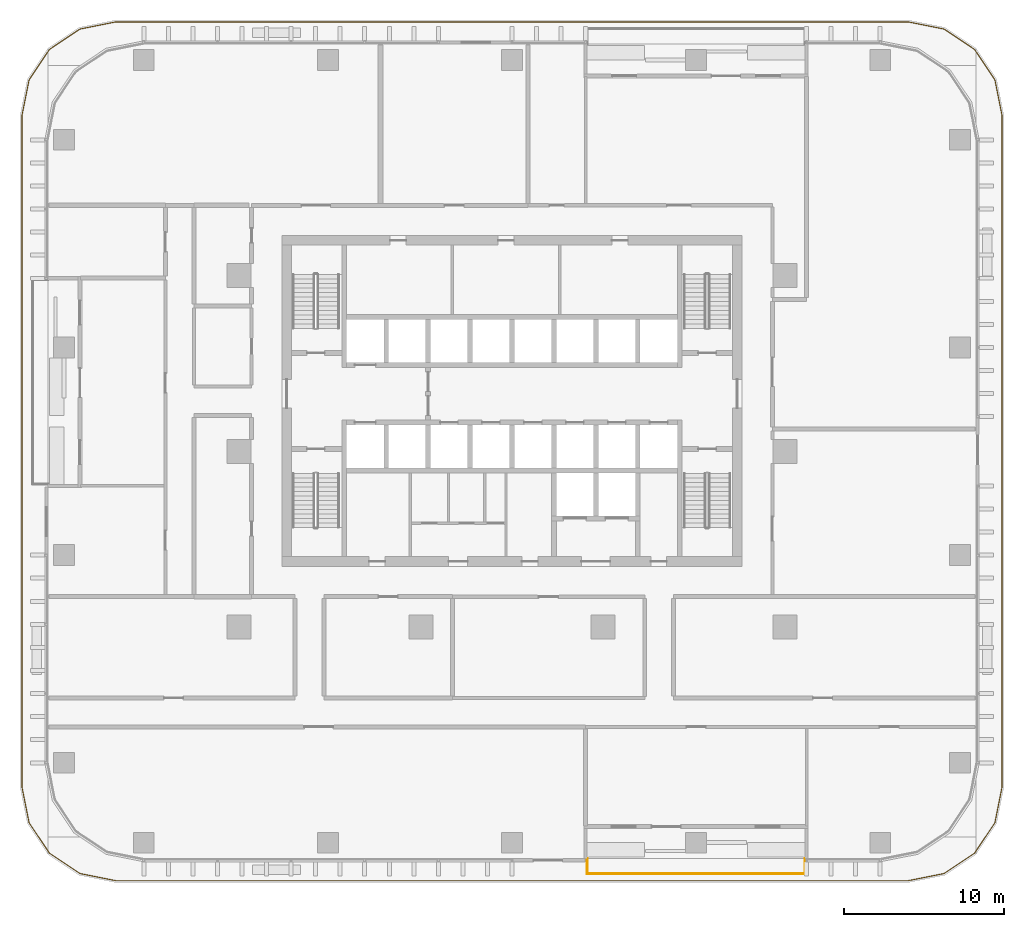
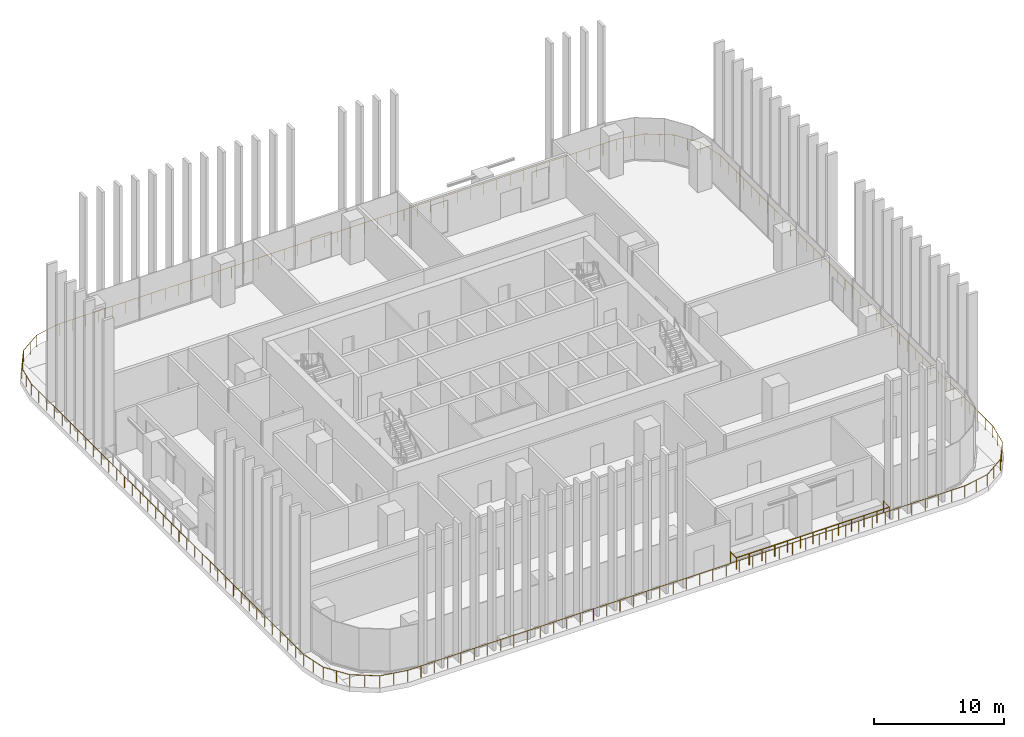
# One storey, part 14 of 18: 2 railings.
"""IFC4 building model written with IfcOpenShell, lengths in metres."""

from ifc_helpers import new_model, si_unit, direction, frame, origin, origin_2d, place, context, subcontext, project, spatial, circle, extrude, material, type_object, element, save


model = new_model("IFC4")

# Units and contexts
model_context = context("Model", 3, precision=1e-05, world=origin(), true_north=direction((0.0, 1.0)))
body_context = subcontext(model_context, "Body", "Model", "MODEL_VIEW")
ifc_project = project(units=[si_unit("LENGTHUNIT", "METRE"), si_unit("AREAUNIT", "SQUARE_METRE"), si_unit("VOLUMEUNIT", "CUBIC_METRE"), si_unit("PLANEANGLEUNIT", "RADIAN"), si_unit("MASSUNIT", "GRAM", prefix="KILO")], contexts=[model_context])

# Site, building, storey
site_placement = place(None, origin())
site = spatial("IfcSite", under=ifc_project, at=site_placement, CompositionType="ELEMENT")
building_placement = place(site_placement, origin())
building = spatial("IfcBuilding", under=site, at=building_placement, Name="Mopane Tessera Tower", CompositionType="ELEMENT")
storey_placement = place(building_placement, frame((0.0, 0.0, 94.60009765625)))
storey = spatial("IfcBuildingStorey", under=building, at=storey_placement, Name="L18", CompositionType="ELEMENT", Elevation=94.60009765625)

# Railings
ifc_material = material(Name="Stainless steel S316", Category="steel")
railing_type = type_object("IfcRailingType", Name="Terrace guard 1100", PredefinedType="GUARDRAIL", material=ifc_material)
railing_1_placement = place(storey_placement, frame((4.7099609375, -25.5, 0.0)))
element("IfcRailing", 1, at=railing_1_placement, inside=storey, type_object=railing_type, Name="e:nw:L18:N3:guard", PredefinedType="GUARDRAIL", context=body_context, shape_type="SweptSolid", body=[
    extrude(circle(Radius=0.02392578125, at=origin_2d()), frame((0.0, 0.0, 1.076171875), z_axis=(0.0, -1.0, 0.0), x_axis=(1.0, 0.0, 0.0)), (0.0, 0.0, 1.0), 0.949951171875),
    extrude(circle(Radius=0.02392578125, at=origin_2d()), frame((0.0, -0.949951171875, 1.076171875), z_axis=(1.0, 0.0, 0.0), x_axis=(0.0, 1.0, 0.0)), (0.0, 0.0, 1.0), 13.630126953125),
    extrude(circle(Radius=0.02392578125, at=origin_2d()), frame((13.630126953125, -0.949951171875, 1.076171875), z_axis=(0.0, 1.0, 0.0), x_axis=(-1.0, 0.0, 0.0)), (0.0, 0.0, 1.0), 0.949951171875),
    extrude(circle(Radius=0.02099609375, at=origin_2d()), origin(), (0.0, 0.0, 1.0), 1.052001953125),
    extrude(circle(Radius=0.02099609375, at=origin_2d()), frame((0.0, -0.949951171875, 0.0)), (0.0, 0.0, 1.0), 1.052001953125),
    extrude(circle(Radius=0.02099609375, at=origin_2d()), frame((1.1357421875, -0.949951171875, 0.0)), (0.0, 0.0, 1.0), 1.052001953125),
    extrude(circle(Radius=0.02099609375, at=origin_2d()), frame((2.271728515625, -0.949951171875, 0.0)), (0.0, 0.0, 1.0), 1.052001953125),
    extrude(circle(Radius=0.02099609375, at=origin_2d()), frame((3.407470703125, -0.949951171875, 0.0)), (0.0, 0.0, 1.0), 1.052001953125),
    extrude(circle(Radius=0.02099609375, at=origin_2d()), frame((4.54345703125, -0.949951171875, 0.0)), (0.0, 0.0, 1.0), 1.052001953125),
    extrude(circle(Radius=0.02099609375, at=origin_2d()), frame((5.67919921875, -0.949951171875, 0.0)), (0.0, 0.0, 1.0), 1.052001953125),
    extrude(circle(Radius=0.02099609375, at=origin_2d()), frame((6.81494140625, -0.949951171875, 0.0)), (0.0, 0.0, 1.0), 1.052001953125),
    extrude(circle(Radius=0.02099609375, at=origin_2d()), frame((7.950927734375, -0.949951171875, 0.0)), (0.0, 0.0, 1.0), 1.052001953125),
    extrude(circle(Radius=0.02099609375, at=origin_2d()), frame((9.086669921875, -0.949951171875, 0.0)), (0.0, 0.0, 1.0), 1.052001953125),
    extrude(circle(Radius=0.02099609375, at=origin_2d()), frame((10.22265625, -0.949951171875, 0.0)), (0.0, 0.0, 1.0), 1.052001953125),
    extrude(circle(Radius=0.02099609375, at=origin_2d()), frame((11.3583984375, -0.949951171875, 0.0)), (0.0, 0.0, 1.0), 1.052001953125),
    extrude(circle(Radius=0.02099609375, at=origin_2d()), frame((12.494384765625, -0.949951171875, 0.0)), (0.0, 0.0, 1.0), 1.052001953125),
    extrude(circle(Radius=0.02099609375, at=origin_2d()), frame((13.630126953125, -0.949951171875, 0.0)), (0.0, 0.0, 1.0), 1.052001953125),
    extrude(circle(Radius=0.02099609375, at=origin_2d()), frame((13.630126953125, 0.0, 0.0)), (0.0, 0.0, 1.0), 1.052001953125),
])
railing_2_placement = place(storey_placement, frame((-24.800048828125, -26.8798828125, 0.0)))
element("IfcRailing", 2, at=railing_2_placement, inside=storey, type_object=railing_type, Name="e:sg:L18", PredefinedType="GUARDRAIL", context=body_context, shape_type="SweptSolid", body=[
    extrude(circle(Radius=0.02392578125, at=origin_2d()), frame((0.0, 0.0, 1.076171875), z_axis=(1.0, 0.0, 0.0), x_axis=(0.0, 1.0, 0.0)), (0.0, 0.0, 1.0), 49.60009765625),
    extrude(circle(Radius=0.02392578125, at=origin_2d()), frame((49.60009765625, 0.0, 1.076171875), z_axis=(0.980792920903, 0.195051906696, 0.0), x_axis=(-0.195051906696, 0.980792920903, 0.0)), (0.0, 0.0, 1.0), 2.294189453125),
    extrude(circle(Radius=0.02392578125, at=origin_2d()), frame((51.850341796875, 0.447509765625, 1.076171875), z_axis=(0.831444034045, 0.555608511679, 0.0), x_axis=(-0.555608511679, 0.831444034045, 0.0)), (0.0, 0.0, 1.0), 2.294189453125),
    extrude(circle(Radius=0.02392578125, at=origin_2d()), frame((53.7578125, 1.72216796875, 1.076171875), z_axis=(0.555608511679, 0.831444034045, 0.0), x_axis=(-0.831444034045, 0.555608511679, 0.0)), (0.0, 0.0, 1.0), 2.294189453125),
    extrude(circle(Radius=0.02392578125, at=origin_2d()), frame((55.032470703125, 3.629638671875, 1.076171875), z_axis=(0.195051906696, 0.980792920903, 0.0), x_axis=(-0.980792920903, 0.195051906696, 0.0)), (0.0, 0.0, 1.0), 2.294189453125),
    extrude(circle(Radius=0.02392578125, at=origin_2d()), frame((55.47998046875, 5.8798828125, 1.076171875), z_axis=(0.0, 1.0, 0.0), x_axis=(-1.0, 0.0, 0.0)), (0.0, 0.0, 1.0), 42.0),
    extrude(circle(Radius=0.02392578125, at=origin_2d()), frame((55.47998046875, 47.8798828125, 1.076171875), z_axis=(-0.195051906696, 0.980792920903, 0.0), x_axis=(-0.980792920903, -0.195051906696, 0.0)), (0.0, 0.0, 1.0), 2.294189453125),
    extrude(circle(Radius=0.02392578125, at=origin_2d()), frame((55.032470703125, 50.130126953125, 1.076171875), z_axis=(-0.555608511679, 0.831444034045, 0.0), x_axis=(-0.831444034045, -0.555608511679, 0.0)), (0.0, 0.0, 1.0), 2.294189453125),
    extrude(circle(Radius=0.02392578125, at=origin_2d()), frame((53.7578125, 52.03759765625, 1.076171875), z_axis=(-0.831444034045, 0.555608511679, 0.0), x_axis=(-0.555608511679, -0.831444034045, 0.0)), (0.0, 0.0, 1.0), 2.294189453125),
    extrude(circle(Radius=0.02392578125, at=origin_2d()), frame((51.850341796875, 53.312255859375, 1.076171875), z_axis=(-0.980792920903, 0.195051906696, 0.0), x_axis=(-0.195051906696, -0.980792920903, 0.0)), (0.0, 0.0, 1.0), 2.294189453125),
    extrude(circle(Radius=0.02392578125, at=origin_2d()), frame((49.60009765625, 53.759765625, 1.076171875), z_axis=(-1.0, 0.0, 0.0), x_axis=(0.0, -1.0, 0.0)), (0.0, 0.0, 1.0), 49.60009765625),
    extrude(circle(Radius=0.02392578125, at=origin_2d()), frame((0.0, 53.759765625, 1.076171875), z_axis=(-0.980792920903, -0.195051906696, 0.0), x_axis=(0.195051906696, -0.980792920903, 0.0)), (0.0, 0.0, 1.0), 2.294189453125),
    extrude(circle(Radius=0.02392578125, at=origin_2d()), frame((-2.250244140625, 53.312255859375, 1.076171875), z_axis=(-0.831444034045, -0.555608511679, 0.0), x_axis=(0.555608511679, -0.831444034045, 0.0)), (0.0, 0.0, 1.0), 2.294189453125),
    extrude(circle(Radius=0.02392578125, at=origin_2d()), frame((-4.15771484375, 52.03759765625, 1.076171875), z_axis=(-0.555608511679, -0.831444034045, 0.0), x_axis=(0.831444034045, -0.555608511679, 0.0)), (0.0, 0.0, 1.0), 2.294189453125),
    extrude(circle(Radius=0.02392578125, at=origin_2d()), frame((-5.432373046875, 50.130126953125, 1.076171875), z_axis=(-0.195051906696, -0.980792920903, 0.0), x_axis=(0.980792920903, -0.195051906696, 0.0)), (0.0, 0.0, 1.0), 2.294189453125),
    extrude(circle(Radius=0.02392578125, at=origin_2d()), frame((-5.8798828125, 47.8798828125, 1.076171875), z_axis=(0.0, -1.0, 0.0), x_axis=(1.0, 0.0, 0.0)), (0.0, 0.0, 1.0), 42.0),
    extrude(circle(Radius=0.02392578125, at=origin_2d()), frame((-5.8798828125, 5.8798828125, 1.076171875), z_axis=(0.195051906696, -0.980792920903, 0.0), x_axis=(0.980792920903, 0.195051906696, 0.0)), (0.0, 0.0, 1.0), 2.294189453125),
    extrude(circle(Radius=0.02392578125, at=origin_2d()), frame((-5.432373046875, 3.629638671875, 1.076171875), z_axis=(0.555608511679, -0.831444034045, 0.0), x_axis=(0.831444034045, 0.555608511679, 0.0)), (0.0, 0.0, 1.0), 2.294189453125),
    extrude(circle(Radius=0.02392578125, at=origin_2d()), frame((-4.15771484375, 1.72216796875, 1.076171875), z_axis=(0.831444034045, -0.555608511679, 0.0), x_axis=(0.555608511679, 0.831444034045, 0.0)), (0.0, 0.0, 1.0), 2.294189453125),
    extrude(circle(Radius=0.02392578125, at=origin_2d()), frame((-2.250244140625, 0.447509765625, 1.076171875), z_axis=(0.980792920903, -0.195051906696, 0.0), x_axis=(0.195051906696, 0.980792920903, 0.0)), (0.0, 0.0, 1.0), 2.294189453125),
    extrude(circle(Radius=0.02099609375, at=origin_2d()), origin(), (0.0, 0.0, 1.0), 1.052001953125),
    extrude(circle(Radius=0.02099609375, at=origin_2d()), frame((1.180908203125, 0.0, 0.0)), (0.0, 0.0, 1.0), 1.052001953125),
    extrude(circle(Radius=0.02099609375, at=origin_2d()), frame((2.36181640625, 0.0, 0.0)), (0.0, 0.0, 1.0), 1.052001953125),
    extrude(circle(Radius=0.02099609375, at=origin_2d()), frame((3.54296875, 0.0, 0.0)), (0.0, 0.0, 1.0), 1.052001953125),
    extrude(circle(Radius=0.02099609375, at=origin_2d()), frame((4.723876953125, 0.0, 0.0)), (0.0, 0.0, 1.0), 1.052001953125),
    extrude(circle(Radius=0.02099609375, at=origin_2d()), frame((5.90478515625, 0.0, 0.0)), (0.0, 0.0, 1.0), 1.052001953125),
    extrude(circle(Radius=0.02099609375, at=origin_2d()), frame((7.085693359375, 0.0, 0.0)), (0.0, 0.0, 1.0), 1.052001953125),
    extrude(circle(Radius=0.02099609375, at=origin_2d()), frame((8.2666015625, 0.0, 0.0)), (0.0, 0.0, 1.0), 1.052001953125),
    extrude(circle(Radius=0.02099609375, at=origin_2d()), frame((9.44775390625, 0.0, 0.0)), (0.0, 0.0, 1.0), 1.052001953125),
    extrude(circle(Radius=0.02099609375, at=origin_2d()), frame((10.628662109375, 0.0, 0.0)), (0.0, 0.0, 1.0), 1.052001953125),
    extrude(circle(Radius=0.02099609375, at=origin_2d()), frame((11.8095703125, 0.0, 0.0)), (0.0, 0.0, 1.0), 1.052001953125),
    extrude(circle(Radius=0.02099609375, at=origin_2d()), frame((12.990478515625, 0.0, 0.0)), (0.0, 0.0, 1.0), 1.052001953125),
    extrude(circle(Radius=0.02099609375, at=origin_2d()), frame((14.17138671875, 0.0, 0.0)), (0.0, 0.0, 1.0), 1.052001953125),
    extrude(circle(Radius=0.02099609375, at=origin_2d()), frame((15.352294921875, 0.0, 0.0)), (0.0, 0.0, 1.0), 1.052001953125),
    extrude(circle(Radius=0.02099609375, at=origin_2d()), frame((16.533447265625, 0.0, 0.0)), (0.0, 0.0, 1.0), 1.052001953125),
    extrude(circle(Radius=0.02099609375, at=origin_2d()), frame((17.71435546875, 0.0, 0.0)), (0.0, 0.0, 1.0), 1.052001953125),
    extrude(circle(Radius=0.02099609375, at=origin_2d()), frame((18.895263671875, 0.0, 0.0)), (0.0, 0.0, 1.0), 1.052001953125),
    extrude(circle(Radius=0.02099609375, at=origin_2d()), frame((20.076171875, 0.0, 0.0)), (0.0, 0.0, 1.0), 1.052001953125),
    extrude(circle(Radius=0.02099609375, at=origin_2d()), frame((21.257080078125, 0.0, 0.0)), (0.0, 0.0, 1.0), 1.052001953125),
    extrude(circle(Radius=0.02099609375, at=origin_2d()), frame((22.438232421875, 0.0, 0.0)), (0.0, 0.0, 1.0), 1.052001953125),
    extrude(circle(Radius=0.02099609375, at=origin_2d()), frame((23.619140625, 0.0, 0.0)), (0.0, 0.0, 1.0), 1.052001953125),
    extrude(circle(Radius=0.02099609375, at=origin_2d()), frame((24.800048828125, 0.0, 0.0)), (0.0, 0.0, 1.0), 1.052001953125),
    extrude(circle(Radius=0.02099609375, at=origin_2d()), frame((25.98095703125, 0.0, 0.0)), (0.0, 0.0, 1.0), 1.052001953125),
    extrude(circle(Radius=0.02099609375, at=origin_2d()), frame((27.161865234375, 0.0, 0.0)), (0.0, 0.0, 1.0), 1.052001953125),
    extrude(circle(Radius=0.02099609375, at=origin_2d()), frame((28.343017578125, 0.0, 0.0)), (0.0, 0.0, 1.0), 1.052001953125),
    extrude(circle(Radius=0.02099609375, at=origin_2d()), frame((29.52392578125, 0.0, 0.0)), (0.0, 0.0, 1.0), 1.052001953125),
    extrude(circle(Radius=0.02099609375, at=origin_2d()), frame((30.704833984375, 0.0, 0.0)), (0.0, 0.0, 1.0), 1.052001953125),
    extrude(circle(Radius=0.02099609375, at=origin_2d()), frame((31.8857421875, 0.0, 0.0)), (0.0, 0.0, 1.0), 1.052001953125),
    extrude(circle(Radius=0.02099609375, at=origin_2d()), frame((33.066650390625, 0.0, 0.0)), (0.0, 0.0, 1.0), 1.052001953125),
    extrude(circle(Radius=0.02099609375, at=origin_2d()), frame((34.247802734375, 0.0, 0.0)), (0.0, 0.0, 1.0), 1.052001953125),
    extrude(circle(Radius=0.02099609375, at=origin_2d()), frame((35.4287109375, 0.0, 0.0)), (0.0, 0.0, 1.0), 1.052001953125),
    extrude(circle(Radius=0.02099609375, at=origin_2d()), frame((36.609619140625, 0.0, 0.0)), (0.0, 0.0, 1.0), 1.052001953125),
    extrude(circle(Radius=0.02099609375, at=origin_2d()), frame((37.79052734375, 0.0, 0.0)), (0.0, 0.0, 1.0), 1.052001953125),
    extrude(circle(Radius=0.02099609375, at=origin_2d()), frame((38.971435546875, 0.0, 0.0)), (0.0, 0.0, 1.0), 1.052001953125),
    extrude(circle(Radius=0.02099609375, at=origin_2d()), frame((40.15234375, 0.0, 0.0)), (0.0, 0.0, 1.0), 1.052001953125),
    extrude(circle(Radius=0.02099609375, at=origin_2d()), frame((41.33349609375, 0.0, 0.0)), (0.0, 0.0, 1.0), 1.052001953125),
    extrude(circle(Radius=0.02099609375, at=origin_2d()), frame((42.514404296875, 0.0, 0.0)), (0.0, 0.0, 1.0), 1.052001953125),
    extrude(circle(Radius=0.02099609375, at=origin_2d()), frame((43.6953125, 0.0, 0.0)), (0.0, 0.0, 1.0), 1.052001953125),
    extrude(circle(Radius=0.02099609375, at=origin_2d()), frame((44.876220703125, 0.0, 0.0)), (0.0, 0.0, 1.0), 1.052001953125),
    extrude(circle(Radius=0.02099609375, at=origin_2d()), frame((46.05712890625, 0.0, 0.0)), (0.0, 0.0, 1.0), 1.052001953125),
    extrude(circle(Radius=0.02099609375, at=origin_2d()), frame((47.23828125, 0.0, 0.0)), (0.0, 0.0, 1.0), 1.052001953125),
    extrude(circle(Radius=0.02099609375, at=origin_2d()), frame((48.419189453125, 0.0, 0.0)), (0.0, 0.0, 1.0), 1.052001953125),
    extrude(circle(Radius=0.02099609375, at=origin_2d()), frame((49.60009765625, 0.0, 0.0)), (0.0, 0.0, 1.0), 1.052001953125),
    extrude(circle(Radius=0.02099609375, at=origin_2d()), frame((50.72509765625, 0.2236328125, 0.0)), (0.0, 0.0, 1.0), 1.052001953125),
    extrude(circle(Radius=0.02099609375, at=origin_2d()), frame((51.850341796875, 0.447509765625, 0.0)), (0.0, 0.0, 1.0), 1.052001953125),
    extrude(circle(Radius=0.02099609375, at=origin_2d()), frame((52.80419921875, 1.0849609375, 0.0)), (0.0, 0.0, 1.0), 1.052001953125),
    extrude(circle(Radius=0.02099609375, at=origin_2d()), frame((53.7578125, 1.72216796875, 0.0)), (0.0, 0.0, 1.0), 1.052001953125),
    extrude(circle(Radius=0.02099609375, at=origin_2d()), frame((54.39501953125, 2.67578125, 0.0)), (0.0, 0.0, 1.0), 1.052001953125),
    extrude(circle(Radius=0.02099609375, at=origin_2d()), frame((55.032470703125, 3.629638671875, 0.0)), (0.0, 0.0, 1.0), 1.052001953125),
    extrude(circle(Radius=0.02099609375, at=origin_2d()), frame((55.25634765625, 4.7548828125, 0.0)), (0.0, 0.0, 1.0), 1.052001953125),
    extrude(circle(Radius=0.02099609375, at=origin_2d()), frame((55.47998046875, 5.8798828125, 0.0)), (0.0, 0.0, 1.0), 1.052001953125),
    extrude(circle(Radius=0.02099609375, at=origin_2d()), frame((55.47998046875, 7.079833984375, 0.0)), (0.0, 0.0, 1.0), 1.052001953125),
    extrude(circle(Radius=0.02099609375, at=origin_2d()), frame((55.47998046875, 8.27978515625, 0.0)), (0.0, 0.0, 1.0), 1.052001953125),
    extrude(circle(Radius=0.02099609375, at=origin_2d()), frame((55.47998046875, 9.47998046875, 0.0)), (0.0, 0.0, 1.0), 1.052001953125),
    extrude(circle(Radius=0.02099609375, at=origin_2d()), frame((55.47998046875, 10.679931640625, 0.0)), (0.0, 0.0, 1.0), 1.052001953125),
    extrude(circle(Radius=0.02099609375, at=origin_2d()), frame((55.47998046875, 11.8798828125, 0.0)), (0.0, 0.0, 1.0), 1.052001953125),
    extrude(circle(Radius=0.02099609375, at=origin_2d()), frame((55.47998046875, 13.079833984375, 0.0)), (0.0, 0.0, 1.0), 1.052001953125),
    extrude(circle(Radius=0.02099609375, at=origin_2d()), frame((55.47998046875, 14.27978515625, 0.0)), (0.0, 0.0, 1.0), 1.052001953125),
    extrude(circle(Radius=0.02099609375, at=origin_2d()), frame((55.47998046875, 15.47998046875, 0.0)), (0.0, 0.0, 1.0), 1.052001953125),
    extrude(circle(Radius=0.02099609375, at=origin_2d()), frame((55.47998046875, 16.679931640625, 0.0)), (0.0, 0.0, 1.0), 1.052001953125),
    extrude(circle(Radius=0.02099609375, at=origin_2d()), frame((55.47998046875, 17.8798828125, 0.0)), (0.0, 0.0, 1.0), 1.052001953125),
    extrude(circle(Radius=0.02099609375, at=origin_2d()), frame((55.47998046875, 19.079833984375, 0.0)), (0.0, 0.0, 1.0), 1.052001953125),
    extrude(circle(Radius=0.02099609375, at=origin_2d()), frame((55.47998046875, 20.27978515625, 0.0)), (0.0, 0.0, 1.0), 1.052001953125),
    extrude(circle(Radius=0.02099609375, at=origin_2d()), frame((55.47998046875, 21.47998046875, 0.0)), (0.0, 0.0, 1.0), 1.052001953125),
    extrude(circle(Radius=0.02099609375, at=origin_2d()), frame((55.47998046875, 22.679931640625, 0.0)), (0.0, 0.0, 1.0), 1.052001953125),
    extrude(circle(Radius=0.02099609375, at=origin_2d()), frame((55.47998046875, 23.8798828125, 0.0)), (0.0, 0.0, 1.0), 1.052001953125),
    extrude(circle(Radius=0.02099609375, at=origin_2d()), frame((55.47998046875, 25.079833984375, 0.0)), (0.0, 0.0, 1.0), 1.052001953125),
    extrude(circle(Radius=0.02099609375, at=origin_2d()), frame((55.47998046875, 26.27978515625, 0.0)), (0.0, 0.0, 1.0), 1.052001953125),
    extrude(circle(Radius=0.02099609375, at=origin_2d()), frame((55.47998046875, 27.47998046875, 0.0)), (0.0, 0.0, 1.0), 1.052001953125),
    extrude(circle(Radius=0.02099609375, at=origin_2d()), frame((55.47998046875, 28.679931640625, 0.0)), (0.0, 0.0, 1.0), 1.052001953125),
    extrude(circle(Radius=0.02099609375, at=origin_2d()), frame((55.47998046875, 29.8798828125, 0.0)), (0.0, 0.0, 1.0), 1.052001953125),
    extrude(circle(Radius=0.02099609375, at=origin_2d()), frame((55.47998046875, 31.079833984375, 0.0)), (0.0, 0.0, 1.0), 1.052001953125),
    extrude(circle(Radius=0.02099609375, at=origin_2d()), frame((55.47998046875, 32.27978515625, 0.0)), (0.0, 0.0, 1.0), 1.052001953125),
    extrude(circle(Radius=0.02099609375, at=origin_2d()), frame((55.47998046875, 33.47998046875, 0.0)), (0.0, 0.0, 1.0), 1.052001953125),
    extrude(circle(Radius=0.02099609375, at=origin_2d()), frame((55.47998046875, 34.679931640625, 0.0)), (0.0, 0.0, 1.0), 1.052001953125),
    extrude(circle(Radius=0.02099609375, at=origin_2d()), frame((55.47998046875, 35.8798828125, 0.0)), (0.0, 0.0, 1.0), 1.052001953125),
    extrude(circle(Radius=0.02099609375, at=origin_2d()), frame((55.47998046875, 37.079833984375, 0.0)), (0.0, 0.0, 1.0), 1.052001953125),
    extrude(circle(Radius=0.02099609375, at=origin_2d()), frame((55.47998046875, 38.27978515625, 0.0)), (0.0, 0.0, 1.0), 1.052001953125),
    extrude(circle(Radius=0.02099609375, at=origin_2d()), frame((55.47998046875, 39.47998046875, 0.0)), (0.0, 0.0, 1.0), 1.052001953125),
    extrude(circle(Radius=0.02099609375, at=origin_2d()), frame((55.47998046875, 40.679931640625, 0.0)), (0.0, 0.0, 1.0), 1.052001953125),
    extrude(circle(Radius=0.02099609375, at=origin_2d()), frame((55.47998046875, 41.8798828125, 0.0)), (0.0, 0.0, 1.0), 1.052001953125),
    extrude(circle(Radius=0.02099609375, at=origin_2d()), frame((55.47998046875, 43.079833984375, 0.0)), (0.0, 0.0, 1.0), 1.052001953125),
    extrude(circle(Radius=0.02099609375, at=origin_2d()), frame((55.47998046875, 44.27978515625, 0.0)), (0.0, 0.0, 1.0), 1.052001953125),
    extrude(circle(Radius=0.02099609375, at=origin_2d()), frame((55.47998046875, 45.47998046875, 0.0)), (0.0, 0.0, 1.0), 1.052001953125),
    extrude(circle(Radius=0.02099609375, at=origin_2d()), frame((55.47998046875, 46.679931640625, 0.0)), (0.0, 0.0, 1.0), 1.052001953125),
    extrude(circle(Radius=0.02099609375, at=origin_2d()), frame((55.47998046875, 47.8798828125, 0.0)), (0.0, 0.0, 1.0), 1.052001953125),
    extrude(circle(Radius=0.02099609375, at=origin_2d()), frame((55.25634765625, 49.0048828125, 0.0)), (0.0, 0.0, 1.0), 1.052001953125),
    extrude(circle(Radius=0.02099609375, at=origin_2d()), frame((55.032470703125, 50.130126953125, 0.0)), (0.0, 0.0, 1.0), 1.052001953125),
    extrude(circle(Radius=0.02099609375, at=origin_2d()), frame((54.39501953125, 51.083984375, 0.0)), (0.0, 0.0, 1.0), 1.052001953125),
    extrude(circle(Radius=0.02099609375, at=origin_2d()), frame((53.7578125, 52.03759765625, 0.0)), (0.0, 0.0, 1.0), 1.052001953125),
    extrude(circle(Radius=0.02099609375, at=origin_2d()), frame((52.80419921875, 52.6748046875, 0.0)), (0.0, 0.0, 1.0), 1.052001953125),
    extrude(circle(Radius=0.02099609375, at=origin_2d()), frame((51.850341796875, 53.312255859375, 0.0)), (0.0, 0.0, 1.0), 1.052001953125),
    extrude(circle(Radius=0.02099609375, at=origin_2d()), frame((50.72509765625, 53.5361328125, 0.0)), (0.0, 0.0, 1.0), 1.052001953125),
    extrude(circle(Radius=0.02099609375, at=origin_2d()), frame((49.60009765625, 53.759765625, 0.0)), (0.0, 0.0, 1.0), 1.052001953125),
    extrude(circle(Radius=0.02099609375, at=origin_2d()), frame((48.419189453125, 53.759765625, 0.0)), (0.0, 0.0, 1.0), 1.052001953125),
    extrude(circle(Radius=0.02099609375, at=origin_2d()), frame((47.23828125, 53.759765625, 0.0)), (0.0, 0.0, 1.0), 1.052001953125),
    extrude(circle(Radius=0.02099609375, at=origin_2d()), frame((46.05712890625, 53.759765625, 0.0)), (0.0, 0.0, 1.0), 1.052001953125),
    extrude(circle(Radius=0.02099609375, at=origin_2d()), frame((44.876220703125, 53.759765625, 0.0)), (0.0, 0.0, 1.0), 1.052001953125),
    extrude(circle(Radius=0.02099609375, at=origin_2d()), frame((43.6953125, 53.759765625, 0.0)), (0.0, 0.0, 1.0), 1.052001953125),
    extrude(circle(Radius=0.02099609375, at=origin_2d()), frame((42.514404296875, 53.759765625, 0.0)), (0.0, 0.0, 1.0), 1.052001953125),
    extrude(circle(Radius=0.02099609375, at=origin_2d()), frame((41.33349609375, 53.759765625, 0.0)), (0.0, 0.0, 1.0), 1.052001953125),
    extrude(circle(Radius=0.02099609375, at=origin_2d()), frame((40.15234375, 53.759765625, 0.0)), (0.0, 0.0, 1.0), 1.052001953125),
    extrude(circle(Radius=0.02099609375, at=origin_2d()), frame((38.971435546875, 53.759765625, 0.0)), (0.0, 0.0, 1.0), 1.052001953125),
    extrude(circle(Radius=0.02099609375, at=origin_2d()), frame((37.79052734375, 53.759765625, 0.0)), (0.0, 0.0, 1.0), 1.052001953125),
    extrude(circle(Radius=0.02099609375, at=origin_2d()), frame((36.609619140625, 53.759765625, 0.0)), (0.0, 0.0, 1.0), 1.052001953125),
    extrude(circle(Radius=0.02099609375, at=origin_2d()), frame((35.4287109375, 53.759765625, 0.0)), (0.0, 0.0, 1.0), 1.052001953125),
    extrude(circle(Radius=0.02099609375, at=origin_2d()), frame((34.247802734375, 53.759765625, 0.0)), (0.0, 0.0, 1.0), 1.052001953125),
    extrude(circle(Radius=0.02099609375, at=origin_2d()), frame((33.066650390625, 53.759765625, 0.0)), (0.0, 0.0, 1.0), 1.052001953125),
    extrude(circle(Radius=0.02099609375, at=origin_2d()), frame((31.8857421875, 53.759765625, 0.0)), (0.0, 0.0, 1.0), 1.052001953125),
    extrude(circle(Radius=0.02099609375, at=origin_2d()), frame((30.704833984375, 53.759765625, 0.0)), (0.0, 0.0, 1.0), 1.052001953125),
    extrude(circle(Radius=0.02099609375, at=origin_2d()), frame((29.52392578125, 53.759765625, 0.0)), (0.0, 0.0, 1.0), 1.052001953125),
    extrude(circle(Radius=0.02099609375, at=origin_2d()), frame((28.343017578125, 53.759765625, 0.0)), (0.0, 0.0, 1.0), 1.052001953125),
    extrude(circle(Radius=0.02099609375, at=origin_2d()), frame((27.161865234375, 53.759765625, 0.0)), (0.0, 0.0, 1.0), 1.052001953125),
    extrude(circle(Radius=0.02099609375, at=origin_2d()), frame((25.98095703125, 53.759765625, 0.0)), (0.0, 0.0, 1.0), 1.052001953125),
    extrude(circle(Radius=0.02099609375, at=origin_2d()), frame((24.800048828125, 53.759765625, 0.0)), (0.0, 0.0, 1.0), 1.052001953125),
    extrude(circle(Radius=0.02099609375, at=origin_2d()), frame((23.619140625, 53.759765625, 0.0)), (0.0, 0.0, 1.0), 1.052001953125),
    extrude(circle(Radius=0.02099609375, at=origin_2d()), frame((22.438232421875, 53.759765625, 0.0)), (0.0, 0.0, 1.0), 1.052001953125),
    extrude(circle(Radius=0.02099609375, at=origin_2d()), frame((21.257080078125, 53.759765625, 0.0)), (0.0, 0.0, 1.0), 1.052001953125),
    extrude(circle(Radius=0.02099609375, at=origin_2d()), frame((20.076171875, 53.759765625, 0.0)), (0.0, 0.0, 1.0), 1.052001953125),
    extrude(circle(Radius=0.02099609375, at=origin_2d()), frame((18.895263671875, 53.759765625, 0.0)), (0.0, 0.0, 1.0), 1.052001953125),
    extrude(circle(Radius=0.02099609375, at=origin_2d()), frame((17.71435546875, 53.759765625, 0.0)), (0.0, 0.0, 1.0), 1.052001953125),
    extrude(circle(Radius=0.02099609375, at=origin_2d()), frame((16.533447265625, 53.759765625, 0.0)), (0.0, 0.0, 1.0), 1.052001953125),
    extrude(circle(Radius=0.02099609375, at=origin_2d()), frame((15.352294921875, 53.759765625, 0.0)), (0.0, 0.0, 1.0), 1.052001953125),
    extrude(circle(Radius=0.02099609375, at=origin_2d()), frame((14.17138671875, 53.759765625, 0.0)), (0.0, 0.0, 1.0), 1.052001953125),
    extrude(circle(Radius=0.02099609375, at=origin_2d()), frame((12.990478515625, 53.759765625, 0.0)), (0.0, 0.0, 1.0), 1.052001953125),
    extrude(circle(Radius=0.02099609375, at=origin_2d()), frame((11.8095703125, 53.759765625, 0.0)), (0.0, 0.0, 1.0), 1.052001953125),
    extrude(circle(Radius=0.02099609375, at=origin_2d()), frame((10.628662109375, 53.759765625, 0.0)), (0.0, 0.0, 1.0), 1.052001953125),
    extrude(circle(Radius=0.02099609375, at=origin_2d()), frame((9.44775390625, 53.759765625, 0.0)), (0.0, 0.0, 1.0), 1.052001953125),
    extrude(circle(Radius=0.02099609375, at=origin_2d()), frame((8.2666015625, 53.759765625, 0.0)), (0.0, 0.0, 1.0), 1.052001953125),
    extrude(circle(Radius=0.02099609375, at=origin_2d()), frame((7.085693359375, 53.759765625, 0.0)), (0.0, 0.0, 1.0), 1.052001953125),
    extrude(circle(Radius=0.02099609375, at=origin_2d()), frame((5.90478515625, 53.759765625, 0.0)), (0.0, 0.0, 1.0), 1.052001953125),
    extrude(circle(Radius=0.02099609375, at=origin_2d()), frame((4.723876953125, 53.759765625, 0.0)), (0.0, 0.0, 1.0), 1.052001953125),
    extrude(circle(Radius=0.02099609375, at=origin_2d()), frame((3.54296875, 53.759765625, 0.0)), (0.0, 0.0, 1.0), 1.052001953125),
    extrude(circle(Radius=0.02099609375, at=origin_2d()), frame((2.36181640625, 53.759765625, 0.0)), (0.0, 0.0, 1.0), 1.052001953125),
    extrude(circle(Radius=0.02099609375, at=origin_2d()), frame((1.180908203125, 53.759765625, 0.0)), (0.0, 0.0, 1.0), 1.052001953125),
    extrude(circle(Radius=0.02099609375, at=origin_2d()), frame((0.0, 53.759765625, 0.0)), (0.0, 0.0, 1.0), 1.052001953125),
    extrude(circle(Radius=0.02099609375, at=origin_2d()), frame((-1.125, 53.5361328125, 0.0)), (0.0, 0.0, 1.0), 1.052001953125),
    extrude(circle(Radius=0.02099609375, at=origin_2d()), frame((-2.250244140625, 53.312255859375, 0.0)), (0.0, 0.0, 1.0), 1.052001953125),
    extrude(circle(Radius=0.02099609375, at=origin_2d()), frame((-3.2041015625, 52.6748046875, 0.0)), (0.0, 0.0, 1.0), 1.052001953125),
    extrude(circle(Radius=0.02099609375, at=origin_2d()), frame((-4.15771484375, 52.03759765625, 0.0)), (0.0, 0.0, 1.0), 1.052001953125),
    extrude(circle(Radius=0.02099609375, at=origin_2d()), frame((-4.794921875, 51.083984375, 0.0)), (0.0, 0.0, 1.0), 1.052001953125),
    extrude(circle(Radius=0.02099609375, at=origin_2d()), frame((-5.432373046875, 50.130126953125, 0.0)), (0.0, 0.0, 1.0), 1.052001953125),
    extrude(circle(Radius=0.02099609375, at=origin_2d()), frame((-5.65625, 49.0048828125, 0.0)), (0.0, 0.0, 1.0), 1.052001953125),
    extrude(circle(Radius=0.02099609375, at=origin_2d()), frame((-5.8798828125, 47.8798828125, 0.0)), (0.0, 0.0, 1.0), 1.052001953125),
    extrude(circle(Radius=0.02099609375, at=origin_2d()), frame((-5.8798828125, 46.679931640625, 0.0)), (0.0, 0.0, 1.0), 1.052001953125),
    extrude(circle(Radius=0.02099609375, at=origin_2d()), frame((-5.8798828125, 45.47998046875, 0.0)), (0.0, 0.0, 1.0), 1.052001953125),
    extrude(circle(Radius=0.02099609375, at=origin_2d()), frame((-5.8798828125, 44.27978515625, 0.0)), (0.0, 0.0, 1.0), 1.052001953125),
    extrude(circle(Radius=0.02099609375, at=origin_2d()), frame((-5.8798828125, 43.079833984375, 0.0)), (0.0, 0.0, 1.0), 1.052001953125),
    extrude(circle(Radius=0.02099609375, at=origin_2d()), frame((-5.8798828125, 41.8798828125, 0.0)), (0.0, 0.0, 1.0), 1.052001953125),
    extrude(circle(Radius=0.02099609375, at=origin_2d()), frame((-5.8798828125, 40.679931640625, 0.0)), (0.0, 0.0, 1.0), 1.052001953125),
    extrude(circle(Radius=0.02099609375, at=origin_2d()), frame((-5.8798828125, 39.47998046875, 0.0)), (0.0, 0.0, 1.0), 1.052001953125),
    extrude(circle(Radius=0.02099609375, at=origin_2d()), frame((-5.8798828125, 38.27978515625, 0.0)), (0.0, 0.0, 1.0), 1.052001953125),
    extrude(circle(Radius=0.02099609375, at=origin_2d()), frame((-5.8798828125, 37.079833984375, 0.0)), (0.0, 0.0, 1.0), 1.052001953125),
    extrude(circle(Radius=0.02099609375, at=origin_2d()), frame((-5.8798828125, 35.8798828125, 0.0)), (0.0, 0.0, 1.0), 1.052001953125),
    extrude(circle(Radius=0.02099609375, at=origin_2d()), frame((-5.8798828125, 34.679931640625, 0.0)), (0.0, 0.0, 1.0), 1.052001953125),
    extrude(circle(Radius=0.02099609375, at=origin_2d()), frame((-5.8798828125, 33.47998046875, 0.0)), (0.0, 0.0, 1.0), 1.052001953125),
    extrude(circle(Radius=0.02099609375, at=origin_2d()), frame((-5.8798828125, 32.27978515625, 0.0)), (0.0, 0.0, 1.0), 1.052001953125),
    extrude(circle(Radius=0.02099609375, at=origin_2d()), frame((-5.8798828125, 31.079833984375, 0.0)), (0.0, 0.0, 1.0), 1.052001953125),
    extrude(circle(Radius=0.02099609375, at=origin_2d()), frame((-5.8798828125, 29.8798828125, 0.0)), (0.0, 0.0, 1.0), 1.052001953125),
    extrude(circle(Radius=0.02099609375, at=origin_2d()), frame((-5.8798828125, 28.679931640625, 0.0)), (0.0, 0.0, 1.0), 1.052001953125),
    extrude(circle(Radius=0.02099609375, at=origin_2d()), frame((-5.8798828125, 27.47998046875, 0.0)), (0.0, 0.0, 1.0), 1.052001953125),
    extrude(circle(Radius=0.02099609375, at=origin_2d()), frame((-5.8798828125, 26.27978515625, 0.0)), (0.0, 0.0, 1.0), 1.052001953125),
    extrude(circle(Radius=0.02099609375, at=origin_2d()), frame((-5.8798828125, 25.079833984375, 0.0)), (0.0, 0.0, 1.0), 1.052001953125),
    extrude(circle(Radius=0.02099609375, at=origin_2d()), frame((-5.8798828125, 23.8798828125, 0.0)), (0.0, 0.0, 1.0), 1.052001953125),
    extrude(circle(Radius=0.02099609375, at=origin_2d()), frame((-5.8798828125, 22.679931640625, 0.0)), (0.0, 0.0, 1.0), 1.052001953125),
    extrude(circle(Radius=0.02099609375, at=origin_2d()), frame((-5.8798828125, 21.47998046875, 0.0)), (0.0, 0.0, 1.0), 1.052001953125),
    extrude(circle(Radius=0.02099609375, at=origin_2d()), frame((-5.8798828125, 20.27978515625, 0.0)), (0.0, 0.0, 1.0), 1.052001953125),
    extrude(circle(Radius=0.02099609375, at=origin_2d()), frame((-5.8798828125, 19.079833984375, 0.0)), (0.0, 0.0, 1.0), 1.052001953125),
    extrude(circle(Radius=0.02099609375, at=origin_2d()), frame((-5.8798828125, 17.8798828125, 0.0)), (0.0, 0.0, 1.0), 1.052001953125),
    extrude(circle(Radius=0.02099609375, at=origin_2d()), frame((-5.8798828125, 16.679931640625, 0.0)), (0.0, 0.0, 1.0), 1.052001953125),
    extrude(circle(Radius=0.02099609375, at=origin_2d()), frame((-5.8798828125, 15.47998046875, 0.0)), (0.0, 0.0, 1.0), 1.052001953125),
    extrude(circle(Radius=0.02099609375, at=origin_2d()), frame((-5.8798828125, 14.27978515625, 0.0)), (0.0, 0.0, 1.0), 1.052001953125),
    extrude(circle(Radius=0.02099609375, at=origin_2d()), frame((-5.8798828125, 13.079833984375, 0.0)), (0.0, 0.0, 1.0), 1.052001953125),
    extrude(circle(Radius=0.02099609375, at=origin_2d()), frame((-5.8798828125, 11.8798828125, 0.0)), (0.0, 0.0, 1.0), 1.052001953125),
    extrude(circle(Radius=0.02099609375, at=origin_2d()), frame((-5.8798828125, 10.679931640625, 0.0)), (0.0, 0.0, 1.0), 1.052001953125),
    extrude(circle(Radius=0.02099609375, at=origin_2d()), frame((-5.8798828125, 9.47998046875, 0.0)), (0.0, 0.0, 1.0), 1.052001953125),
    extrude(circle(Radius=0.02099609375, at=origin_2d()), frame((-5.8798828125, 8.27978515625, 0.0)), (0.0, 0.0, 1.0), 1.052001953125),
    extrude(circle(Radius=0.02099609375, at=origin_2d()), frame((-5.8798828125, 7.079833984375, 0.0)), (0.0, 0.0, 1.0), 1.052001953125),
    extrude(circle(Radius=0.02099609375, at=origin_2d()), frame((-5.8798828125, 5.8798828125, 0.0)), (0.0, 0.0, 1.0), 1.052001953125),
    extrude(circle(Radius=0.02099609375, at=origin_2d()), frame((-5.65625, 4.7548828125, 0.0)), (0.0, 0.0, 1.0), 1.052001953125),
    extrude(circle(Radius=0.02099609375, at=origin_2d()), frame((-5.432373046875, 3.629638671875, 0.0)), (0.0, 0.0, 1.0), 1.052001953125),
    extrude(circle(Radius=0.02099609375, at=origin_2d()), frame((-4.794921875, 2.67578125, 0.0)), (0.0, 0.0, 1.0), 1.052001953125),
    extrude(circle(Radius=0.02099609375, at=origin_2d()), frame((-4.15771484375, 1.72216796875, 0.0)), (0.0, 0.0, 1.0), 1.052001953125),
    extrude(circle(Radius=0.02099609375, at=origin_2d()), frame((-3.2041015625, 1.0849609375, 0.0)), (0.0, 0.0, 1.0), 1.052001953125),
    extrude(circle(Radius=0.02099609375, at=origin_2d()), frame((-2.250244140625, 0.447509765625, 0.0)), (0.0, 0.0, 1.0), 1.052001953125),
    extrude(circle(Radius=0.02099609375, at=origin_2d()), frame((-1.125, 0.2236328125, 0.0)), (0.0, 0.0, 1.0), 1.052001953125),
])

save(model, "model.ifc")
